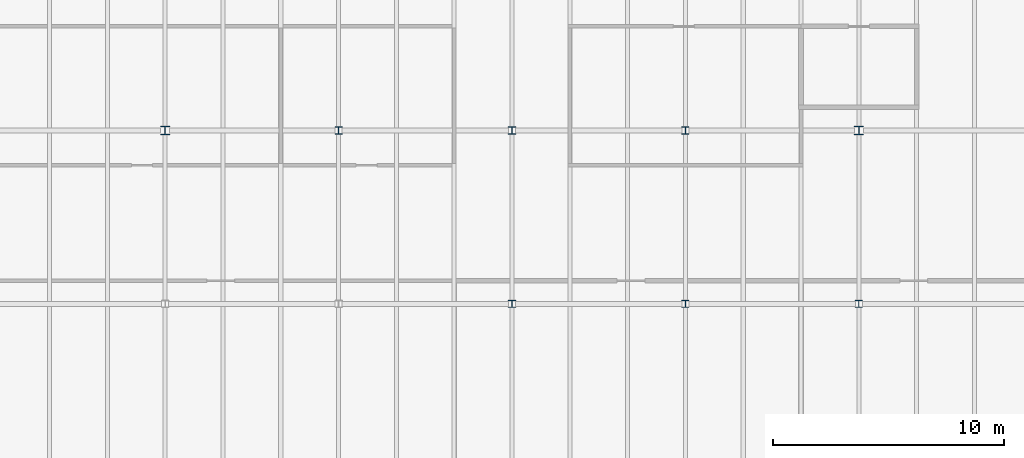
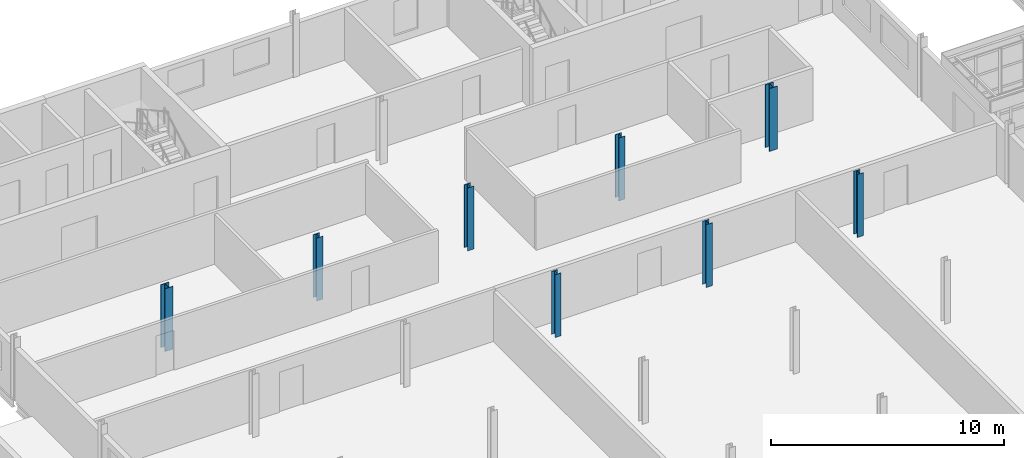
# One storey, part 7 of 198: 8 columns.
"""IFC4 building model written with IfcOpenShell, lengths in metres."""

from ifc_helpers import new_model, si_unit, direction, frame, origin, origin_2d, place, context, subcontext, project, spatial, i_section, extrude, material, material_profile, profile_set, type_object, element, save


model = new_model("IFC4")

# Units and contexts
model_context = context("Model", 3, precision=1e-05, world=origin(), true_north=direction((0.0, 1.0)))
body_context = subcontext(model_context, "Body", "Model", "MODEL_VIEW")
ifc_project = project(units=[si_unit("LENGTHUNIT", "METRE"), si_unit("AREAUNIT", "SQUARE_METRE"), si_unit("VOLUMEUNIT", "CUBIC_METRE"), si_unit("PLANEANGLEUNIT", "RADIAN"), si_unit("MASSUNIT", "GRAM", prefix="KILO")], contexts=[model_context])

# Site, building, storey
site_placement = place(None, origin())
site = spatial("IfcSite", under=ifc_project, at=site_placement, CompositionType="ELEMENT")
building_placement = place(site_placement, origin())
building = spatial("IfcBuilding", under=site, at=building_placement, Name="Parallax Yard Mobility Hub", CompositionType="ELEMENT")
storey_placement = place(building_placement, frame((0.0, 0.0, 6.60009765625)))
storey = spatial("IfcBuildingStorey", under=building, at=storey_placement, Name="L02", CompositionType="ELEMENT", Elevation=6.60009765625)

# Columns
ifc_material = material(Name="Steel ASTM A992", Category="steel")
ifc_material_profile_1 = material_profile(ifc_material, i_section(OverallWidth=0.306884765625, OverallDepth=0.318115234375, WebThickness=0.01318359375, FlangeThickness=0.0205078125, FilletRadius=0.01513671875, at=origin_2d()), Name="W310x129")
ifc_profile_set_1 = profile_set([ifc_material_profile_1], Name="Steel ASTM A992")
column_type_1 = type_object("IfcColumnType", Name="W310x129 column", PredefinedType="COLUMN", material=ifc_profile_set_1)
for number, where, z_axis, x_axis, name in (
    (1, (112.5, 37.5, 0.0), (0.0, 0.0, 1.0), (1.0, 0.0, 0.0), "Column C3 level L02 at F/16 of mobility service centre and workshops"),
    (2, (127.5, 37.5, 0.0), (0.0, 0.0, 1.0), (1.0, 0.0, 0.0), "Column C3 level L02 at F/18 of mobility service centre and workshops"),
):
    element("IfcColumn", number, at=place(storey_placement, frame(where, z_axis=z_axis, x_axis=x_axis)), inside=storey, type_object=column_type_1, Name=name, PredefinedType="COLUMN", context=body_context, shape_type="SweptSolid", body=[
        extrude(i_section(OverallWidth=0.306884765625, OverallDepth=0.318115234375, WebThickness=0.01318359375, FlangeThickness=0.0205078125, FilletRadius=0.01513671875, at=origin_2d()), origin(), (0.0, 0.0, 1.0), 3.2998046875),
    ])
ifc_material_profile_2 = material_profile(ifc_material, i_section(OverallWidth=0.304931640625, OverallDepth=0.306884765625, WebThickness=0.010009765625, FlangeThickness=0.015380859375, FilletRadius=0.01513671875, at=origin_2d()), Name="W310x97")
ifc_profile_set_2 = profile_set([ifc_material_profile_2], Name="Steel ASTM A992")
column_type_2 = type_object("IfcColumnType", Name="W310x97 column", PredefinedType="COLUMN", material=ifc_profile_set_2)
for number, where, z_axis, x_axis, name in (
    (3, (120.0, 30.0, 0.0), (0.0, 0.0, 1.0), (1.0, 0.0, 0.0), "Column C1 level L02 at E/17 of mobility service centre and workshops"),
    (4, (120.0, 37.5, 0.0), (0.0, 0.0, 1.0), (1.0, 0.0, 0.0), "Column C1 level L02 at F/17 of mobility service centre and workshops"),
    (5, (127.5, 30.0, 0.0), (0.0, 0.0, 1.0), (1.0, 0.0, 0.0), "Column C1 level L02 at E/18 of mobility service centre and workshops"),
    (6, (135.0, 30.0, 0.0), (0.0, 0.0, 1.0), (1.0, 0.0, 0.0), "Column C1 level L02 at E/19 of mobility service centre and workshops"),
):
    element("IfcColumn", number, at=place(storey_placement, frame(where, z_axis=z_axis, x_axis=x_axis)), inside=storey, type_object=column_type_2, Name=name, PredefinedType="COLUMN", context=body_context, shape_type="SweptSolid", body=[
        extrude(i_section(OverallWidth=0.304931640625, OverallDepth=0.306884765625, WebThickness=0.010009765625, FlangeThickness=0.015380859375, FilletRadius=0.01513671875, at=origin_2d()), origin(), (0.0, 0.0, 1.0), 3.2998046875),
    ])
ifc_material_profile_3 = material_profile(ifc_material, i_section(OverallWidth=0.39404296875, OverallDepth=0.3759765625, WebThickness=0.017333984375, FlangeThickness=0.027587890625, FilletRadius=0.01513671875, at=origin_2d()), Name="W360x216")
ifc_profile_set_3 = profile_set([ifc_material_profile_3], Name="Steel ASTM A992")
column_type_3 = type_object("IfcColumnType", Name="W360x216 column", PredefinedType="COLUMN", material=ifc_profile_set_3)
for number, where, z_axis, x_axis, name in (
    (7, (105.0, 37.5, 0.0), (0.0, 0.0, 1.0), (1.0, 0.0, 0.0), "Column C9 level L02 at F/15 of mobility service centre and workshops"),
    (8, (135.0, 37.5, 0.0), (0.0, 0.0, 1.0), (1.0, 0.0, 0.0), "Column C9 level L02 at F/19 of mobility service centre and workshops"),
):
    element("IfcColumn", number, at=place(storey_placement, frame(where, z_axis=z_axis, x_axis=x_axis)), inside=storey, type_object=column_type_3, Name=name, PredefinedType="COLUMN", context=body_context, shape_type="SweptSolid", body=[
        extrude(i_section(OverallWidth=0.39404296875, OverallDepth=0.3759765625, WebThickness=0.017333984375, FlangeThickness=0.027587890625, FilletRadius=0.01513671875, at=origin_2d()), origin(), (0.0, 0.0, 1.0), 3.2998046875),
    ])

save(model, "model.ifc")
